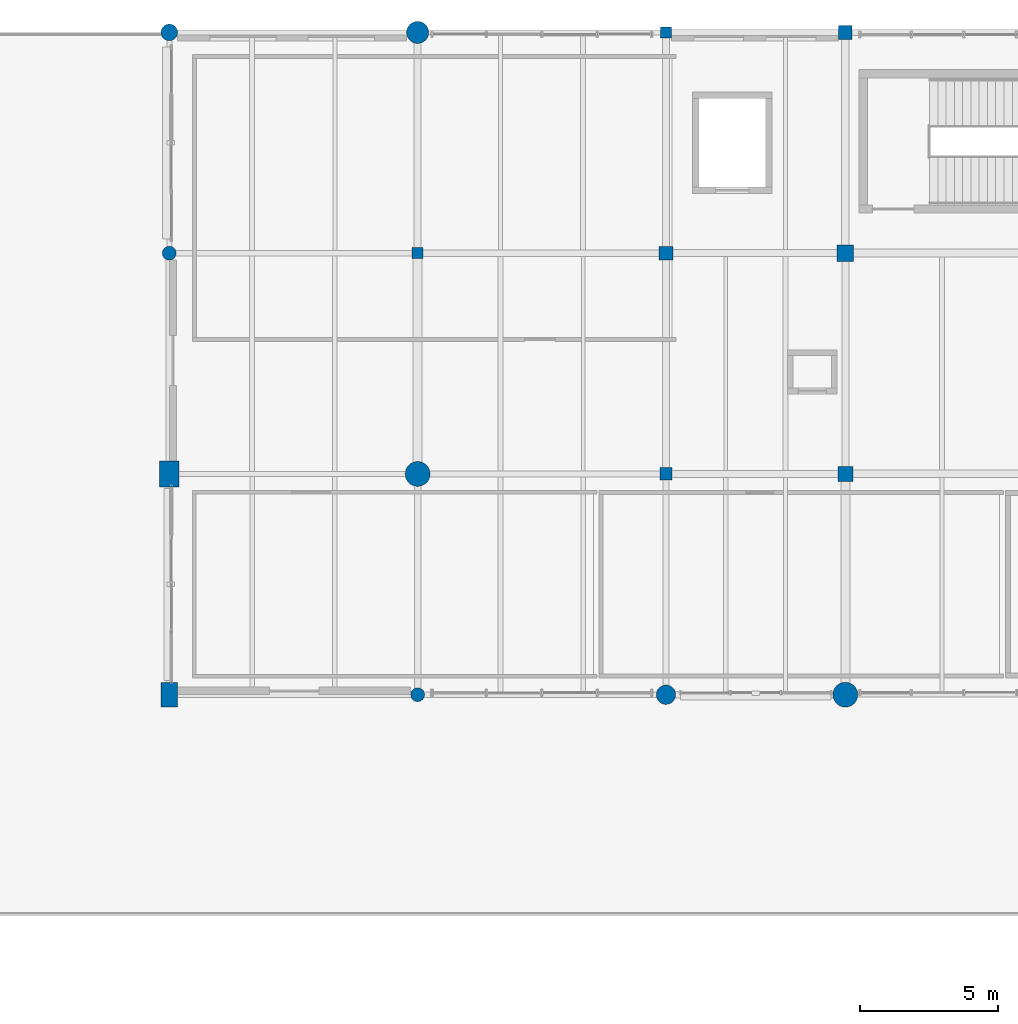
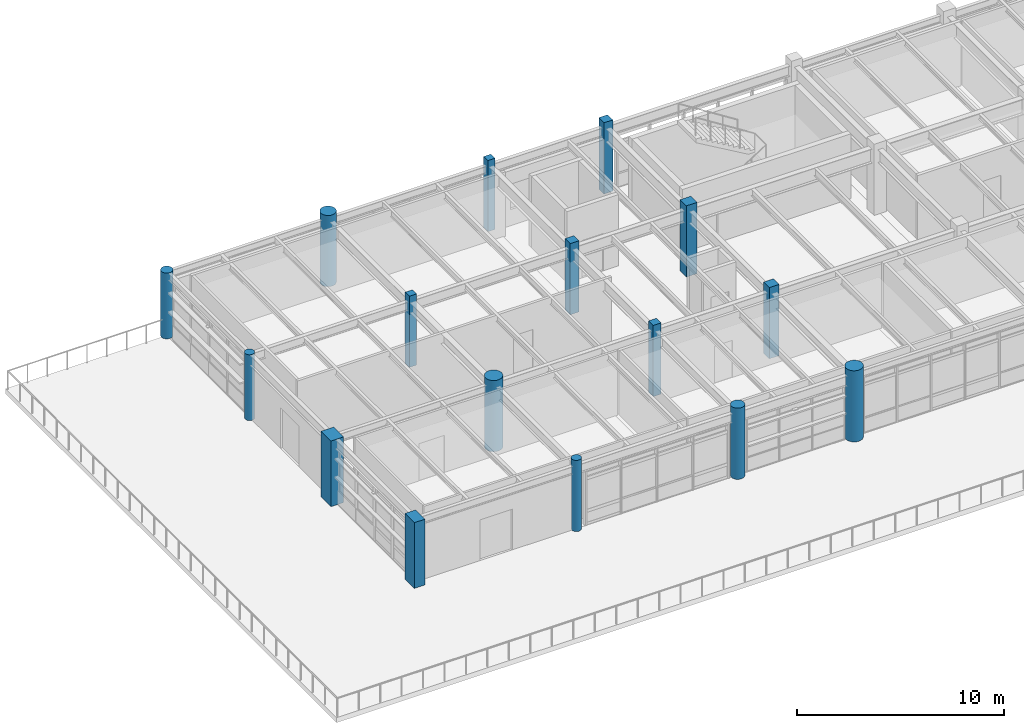
# One storey, part 1 of 56: 16 columns.
"""IFC4 building model written with IfcOpenShell, lengths in metres."""

from ifc_helpers import new_model, si_unit, direction, frame, origin, origin_2d, place, context, subcontext, project, spatial, rectangle, circle, extrude, material, material_profile, profile_set, type_object, element, save


model = new_model("IFC4")

# Units and contexts
model_context = context("Model", 3, precision=1e-05, world=origin(), true_north=direction((0.0, 1.0)))
body_context = subcontext(model_context, "Body", "Model", "MODEL_VIEW")
ifc_project = project(units=[si_unit("LENGTHUNIT", "METRE"), si_unit("AREAUNIT", "SQUARE_METRE"), si_unit("VOLUMEUNIT", "CUBIC_METRE"), si_unit("PLANEANGLEUNIT", "RADIAN"), si_unit("MASSUNIT", "GRAM", prefix="KILO"), si_unit("THERMODYNAMICTEMPERATUREUNIT", "KELVIN"), si_unit("POWERUNIT", "WATT")], contexts=[model_context])

# Site, building, storey
site_placement = place(None, origin())
site = spatial("IfcSite", under=ifc_project, at=site_placement, CompositionType="ELEMENT")
building_placement = place(site_placement, origin())
building = spatial("IfcBuilding", under=site, at=building_placement, Name="Tepalcoro Natatorium and Aquatics Centre", CompositionType="ELEMENT")
storey_placement = place(building_placement, frame((0.0, 0.0, 14.800048828125)))
storey = spatial("IfcBuildingStorey", under=building, at=storey_placement, Name="L03", CompositionType="ELEMENT", Elevation=14.800048828125)

# Columns
ifc_material = material(Name="Concrete C40/50 (fc 40 MPa)", Category="concrete")
ifc_material_profile_1 = material_profile(ifc_material, rectangle(XDim=0.39990234375, YDim=0.39990234375, at=origin_2d()), Name="RC400x400")
ifc_profile_set_1 = profile_set([ifc_material_profile_1], Name="Concrete C40/50 (fc 40 MPa)")
column_type_1 = type_object("IfcColumnType", Name="COL_RC_400x400", PredefinedType="COLUMN", material=ifc_profile_set_1)
for number, where, z_axis, x_axis, name in (
    (1, (116.0, 110.0, 0.0), (0.0, 0.0, 1.0), (1.0, 0.0, 0.0), "V5 L03 Grid Column (116.0, 110.0)"),
    (2, (125.0, 118.0, 0.0), (0.0, 0.0, 1.0), (1.0, 0.0, 0.0), "V5 L03 Grid Column (125.0, 118.0)"),
):
    element("IfcColumn", number, at=place(storey_placement, frame(where, z_axis=z_axis, x_axis=x_axis)), inside=storey, type_object=column_type_1, Name=name, PredefinedType="COLUMN", context=body_context, shape_type="SweptSolid", body=[
        extrude(rectangle(XDim=0.39990234375, YDim=0.39990234375, at=origin_2d()), origin(), (0.0, 0.0, 1.0), 4.199951171875),
    ])
ifc_material_profile_2 = material_profile(ifc_material, rectangle(XDim=0.449951171875, YDim=0.449951171875, at=origin_2d()), Name="RC450x450")
ifc_profile_set_2 = profile_set([ifc_material_profile_2], Name="Concrete C40/50 (fc 40 MPa)")
column_type_2 = type_object("IfcColumnType", Name="COL_RC_450x450", PredefinedType="COLUMN", material=ifc_profile_set_2)
column_1_placement = place(storey_placement, frame((125.0, 102.0, 0.0), z_axis=(0.0, 0.0, 1.0), x_axis=(1.0, 0.0, 0.0)))
element("IfcColumn", 3, at=column_1_placement, inside=storey, type_object=column_type_2, Name="V5 L03 Grid Column (125.0, 102.0)", PredefinedType="COLUMN", context=body_context, shape_type="SweptSolid", body=[
    extrude(rectangle(XDim=0.449951171875, YDim=0.449951171875, at=origin_2d()), origin(), (0.0, 0.0, 1.0), 4.199951171875),
])
ifc_material_profile_3 = material_profile(ifc_material, rectangle(XDim=0.5, YDim=0.5, at=origin_2d()), Name="RC500x500")
ifc_profile_set_3 = profile_set([ifc_material_profile_3], Name="Concrete C40/50 (fc 40 MPa)")
column_type_3 = type_object("IfcColumnType", Name="COL_RC_500x500", PredefinedType="COLUMN", material=ifc_profile_set_3)
for number, where, z_axis, x_axis, name in (
    (4, (125.0, 110.0, 0.0), (0.0, 0.0, 1.0), (1.0, 0.0, 0.0), "V5 L03 Grid Column (125.0, 110.0)"),
    (5, (131.5, 118.0, 0.0), (0.0, 0.0, 1.0), (1.0, 0.0, 0.0), "V5 L03 Grid Column (131.5, 118.0)"),
):
    element("IfcColumn", number, at=place(storey_placement, frame(where, z_axis=z_axis, x_axis=x_axis)), inside=storey, type_object=column_type_3, Name=name, PredefinedType="COLUMN", context=body_context, shape_type="SweptSolid", body=[
        extrude(rectangle(XDim=0.5, YDim=0.5, at=origin_2d()), origin(), (0.0, 0.0, 1.0), 4.199951171875),
    ])
ifc_material_profile_4 = material_profile(ifc_material, rectangle(XDim=0.550048828125, YDim=0.550048828125, at=origin_2d()), Name="RC550x550")
ifc_profile_set_4 = profile_set([ifc_material_profile_4], Name="Concrete C40/50 (fc 40 MPa)")
column_type_4 = type_object("IfcColumnType", Name="COL_RC_550x550", PredefinedType="COLUMN", material=ifc_profile_set_4)
column_2_placement = place(storey_placement, frame((131.5, 102.0, 0.0), z_axis=(0.0, 0.0, 1.0), x_axis=(1.0, 0.0, 0.0)))
element("IfcColumn", 6, at=column_2_placement, inside=storey, type_object=column_type_4, Name="V5 L03 Grid Column (131.5, 102.0)", PredefinedType="COLUMN", context=body_context, shape_type="SweptSolid", body=[
    extrude(rectangle(XDim=0.550048828125, YDim=0.550048828125, at=origin_2d()), origin(), (0.0, 0.0, 1.0), 4.199951171875),
])
ifc_material_profile_5 = material_profile(ifc_material, rectangle(XDim=0.60009765625, YDim=0.60009765625, at=origin_2d()), Name="RC600x600")
ifc_profile_set_5 = profile_set([ifc_material_profile_5], Name="Concrete C40/50 (fc 40 MPa)")
column_type_5 = type_object("IfcColumnType", Name="COL_RC_600x600", PredefinedType="COLUMN", material=ifc_profile_set_5)
column_3_placement = place(storey_placement, frame((131.5, 110.0, 0.0), z_axis=(0.0, 0.0, 1.0), x_axis=(1.0, 0.0, 0.0)))
element("IfcColumn", 7, at=column_3_placement, inside=storey, type_object=column_type_5, Name="V5 L03 Grid Column (131.5, 110.0)", PredefinedType="COLUMN", context=body_context, shape_type="SweptSolid", body=[
    extrude(rectangle(XDim=0.60009765625, YDim=0.60009765625, at=origin_2d()), origin(), (0.0, 0.0, 1.0), 4.199951171875),
])
ifc_material_profile_6 = material_profile(ifc_material, rectangle(XDim=0.60009765625, YDim=0.89990234375, at=origin_2d()), Name="RC600x900")
ifc_profile_set_6 = profile_set([ifc_material_profile_6], Name="Concrete C40/50 (fc 40 MPa)")
column_type_6 = type_object("IfcColumnType", Name="COL_RC_600x900", PredefinedType="COLUMN", material=ifc_profile_set_6)
column_4_placement = place(storey_placement, frame((107.0, 94.0, 0.0), z_axis=(0.0, 0.0, 1.0), x_axis=(1.0, 0.0, 0.0)))
element("IfcColumn", 8, at=column_4_placement, inside=storey, type_object=column_type_6, Name="V5 L03 Grid Column (107.0, 94.0)", PredefinedType="COLUMN", context=body_context, shape_type="SweptSolid", body=[
    extrude(rectangle(XDim=0.60009765625, YDim=0.89990234375, at=origin_2d()), origin(), (0.0, 0.0, 1.0), 3.8798828125),
])
ifc_material_profile_7 = material_profile(ifc_material, rectangle(XDim=0.699951171875, YDim=0.949951171875, at=origin_2d()), Name="RC700x950")
ifc_profile_set_7 = profile_set([ifc_material_profile_7], Name="Concrete C40/50 (fc 40 MPa)")
column_type_7 = type_object("IfcColumnType", Name="COL_RC_700x950", PredefinedType="COLUMN", material=ifc_profile_set_7)
column_5_placement = place(storey_placement, frame((107.0, 102.0, 0.0), z_axis=(0.0, 0.0, 1.0), x_axis=(1.0, 0.0, 0.0)))
element("IfcColumn", 9, at=column_5_placement, inside=storey, type_object=column_type_7, Name="V5 L03 Grid Column (107.0, 102.0)", PredefinedType="COLUMN", context=body_context, shape_type="SweptSolid", body=[
    extrude(rectangle(XDim=0.699951171875, YDim=0.949951171875, at=origin_2d()), origin(), (0.0, 0.0, 1.0), 3.8798828125),
])
ifc_material_profile_8 = material_profile(ifc_material, circle(Radius=0.25, at=origin_2d()), Name="RCD500")
ifc_profile_set_8 = profile_set([ifc_material_profile_8], Name="Concrete C40/50 (fc 40 MPa)")
column_type_8 = type_object("IfcColumnType", Name="COL_RC_D500", PredefinedType="COLUMN", material=ifc_profile_set_8)
column_6_placement = place(storey_placement, frame((107.0, 110.0, 0.0), z_axis=(0.0, 0.0, 1.0), x_axis=(1.0, 0.0, 0.0)))
element("IfcColumn", 10, at=column_6_placement, inside=storey, type_object=column_type_8, Name="V5 L03 Grid Column (107.0, 110.0)", PredefinedType="COLUMN", context=body_context, shape_type="SweptSolid", body=[
    extrude(circle(Radius=0.25, at=origin_2d()), origin(), (0.0, 0.0, 1.0), 3.8798828125),
])
column_7_placement = place(storey_placement, frame((116.0, 94.0, 0.0), z_axis=(0.0, 0.0, 1.0), x_axis=(1.0, 0.0, 0.0)))
element("IfcColumn", 11, at=column_7_placement, inside=storey, type_object=column_type_8, Name="V5 L03 Grid Column (116.0, 94.0)", PredefinedType="COLUMN", context=body_context, shape_type="SweptSolid", body=[
    extrude(circle(Radius=0.25, at=origin_2d()), origin(), (0.0, 0.0, 1.0), 4.199951171875),
])
ifc_material_profile_9 = material_profile(ifc_material, circle(Radius=0.300048828125, at=origin_2d()), Name="RCD600")
ifc_profile_set_9 = profile_set([ifc_material_profile_9], Name="Concrete C40/50 (fc 40 MPa)")
column_type_9 = type_object("IfcColumnType", Name="COL_RC_D600", PredefinedType="COLUMN", material=ifc_profile_set_9)
column_8_placement = place(storey_placement, frame((107.0, 118.0, 0.0), z_axis=(0.0, 0.0, 1.0), x_axis=(1.0, 0.0, 0.0)))
element("IfcColumn", 12, at=column_8_placement, inside=storey, type_object=column_type_9, Name="V5 L03 Grid Column (107.0, 118.0)", PredefinedType="COLUMN", context=body_context, shape_type="SweptSolid", body=[
    extrude(circle(Radius=0.300048828125, at=origin_2d()), origin(), (0.0, 0.0, 1.0), 3.8798828125),
])
ifc_material_profile_10 = material_profile(ifc_material, circle(Radius=0.35009765625, at=origin_2d()), Name="RCD700")
ifc_profile_set_10 = profile_set([ifc_material_profile_10], Name="Concrete C40/50 (fc 40 MPa)")
column_type_10 = type_object("IfcColumnType", Name="COL_RC_D700", PredefinedType="COLUMN", material=ifc_profile_set_10)
column_9_placement = place(storey_placement, frame((125.0, 94.0, 0.0), z_axis=(0.0, 0.0, 1.0), x_axis=(1.0, 0.0, 0.0)))
element("IfcColumn", 13, at=column_9_placement, inside=storey, type_object=column_type_10, Name="V5 L03 Grid Column (125.0, 94.0)", PredefinedType="COLUMN", context=body_context, shape_type="SweptSolid", body=[
    extrude(circle(Radius=0.35009765625, at=origin_2d()), origin(), (0.0, 0.0, 1.0), 4.199951171875),
])
ifc_material_profile_11 = material_profile(ifc_material, circle(Radius=0.39990234375, at=origin_2d()), Name="RCD800")
ifc_profile_set_11 = profile_set([ifc_material_profile_11], Name="Concrete C40/50 (fc 40 MPa)")
column_type_11 = type_object("IfcColumnType", Name="COL_RC_D800", PredefinedType="COLUMN", material=ifc_profile_set_11)
column_10_placement = place(storey_placement, frame((116.0, 118.0, 0.0), z_axis=(0.0, 0.0, 1.0), x_axis=(1.0, 0.0, 0.0)))
element("IfcColumn", 14, at=column_10_placement, inside=storey, type_object=column_type_11, Name="V5 L03 Grid Column (116.0, 118.0)", PredefinedType="COLUMN", context=body_context, shape_type="SweptSolid", body=[
    extrude(circle(Radius=0.39990234375, at=origin_2d()), origin(), (0.0, 0.0, 1.0), 4.199951171875),
])
ifc_material_profile_12 = material_profile(ifc_material, circle(Radius=0.449951171875, at=origin_2d()), Name="RCD900")
ifc_profile_set_12 = profile_set([ifc_material_profile_12], Name="Concrete C40/50 (fc 40 MPa)")
column_type_12 = type_object("IfcColumnType", Name="COL_RC_D900", PredefinedType="COLUMN", material=ifc_profile_set_12)
for number, where, z_axis, x_axis, name in (
    (15, (116.0, 102.0, 0.0), (0.0, 0.0, 1.0), (1.0, 0.0, 0.0), "V5 L03 Grid Column (116.0, 102.0)"),
    (16, (131.5, 94.0, 0.0), (0.0, 0.0, 1.0), (1.0, 0.0, 0.0), "V5 L03 Grid Column (131.5, 94.0)"),
):
    element("IfcColumn", number, at=place(storey_placement, frame(where, z_axis=z_axis, x_axis=x_axis)), inside=storey, type_object=column_type_12, Name=name, PredefinedType="COLUMN", context=body_context, shape_type="SweptSolid", body=[
        extrude(circle(Radius=0.449951171875, at=origin_2d()), origin(), (0.0, 0.0, 1.0), 4.199951171875),
    ])

save(model, "model.ifc")
